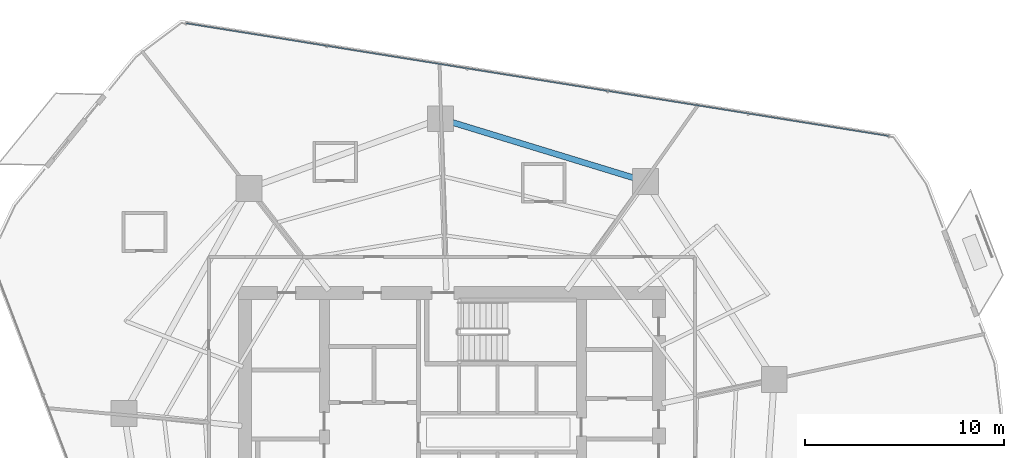
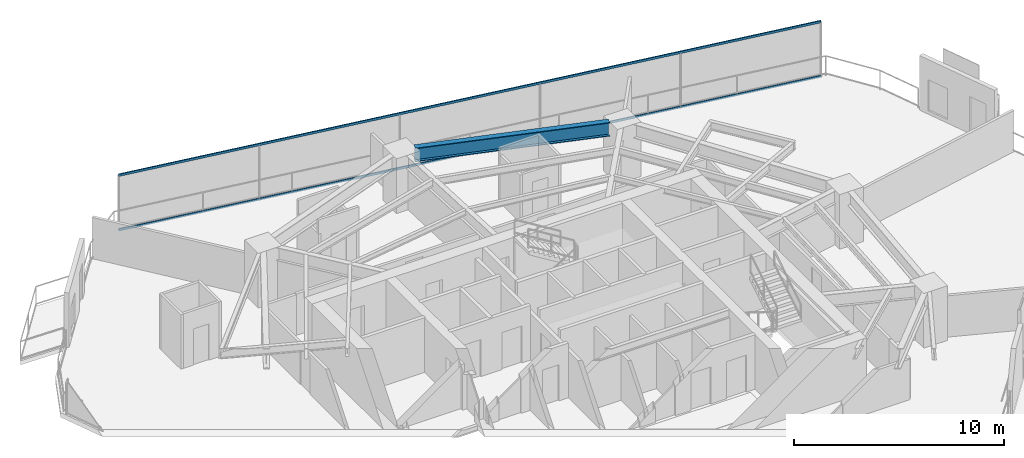
# One storey, part 20 of 31: 2 members, 1 beam, 1 element without a shape of its own.
"""IFC4 building model written with IfcOpenShell, lengths in metres."""

from ifc_helpers import new_model, si_unit, direction, frame, origin, origin_2d, place, context, subcontext, project, spatial, hollow_rectangle, i_section, extrude, material, layer, layer_set, material_profile, profile_set, type_object, element, aggregate, save


model = new_model("IFC4")

# Units and contexts
model_context = context("Model", 3, precision=1e-05, world=origin(), true_north=direction((0.0, 1.0)))
body_context = subcontext(model_context, "Body", "Model", "MODEL_VIEW")
ifc_project = project(units=[si_unit("LENGTHUNIT", "METRE"), si_unit("AREAUNIT", "SQUARE_METRE"), si_unit("VOLUMEUNIT", "CUBIC_METRE"), si_unit("PLANEANGLEUNIT", "RADIAN"), si_unit("MASSUNIT", "GRAM", prefix="KILO")], contexts=[model_context])

# Site, building, storey
site_placement = place(None, origin())
site = spatial("IfcSite", under=ifc_project, at=site_placement, CompositionType="ELEMENT")
building_placement = place(site_placement, origin())
building = spatial("IfcBuilding", under=site, at=building_placement, Name="Qarnah Convention Tower", CompositionType="ELEMENT")
storey_placement = place(building_placement, frame((0.0, 0.0, 33.89990234375)))
storey = spatial("IfcBuildingStorey", under=building, at=storey_placement, Name="L07", CompositionType="ELEMENT", Elevation=33.89990234375)

# Beam
ifc_material_1 = material(Name="Structural steel S355JR", Category="steel")
ifc_material_profile_1 = material_profile(ifc_material_1, i_section(OverallWidth=0.300048828125, OverallDepth=0.800048828125, WebThickness=0.01806640625, FlangeThickness=0.032958984375, at=origin_2d()), Name="HEB800")
ifc_profile_set_1 = profile_set([ifc_material_profile_1], Name="Structural steel S355JR")
beam_type = type_object("IfcBeamType", Name="BM-RING-HEB800", PredefinedType="BEAM", material=ifc_profile_set_1)
beam_placement = place(storey_placement, frame((46.31591796875, 39.97607421875, 2.77001953125), z_axis=(-0.956298871663, 0.292390950707, 0.0), x_axis=(-0.292390950707, -0.956298871663, 0.0)))
element("IfcBeam", 1, at=beam_placement, inside=storey, type_object=beam_type, Name="L07 beam BM-L07-SPN-02", PredefinedType="BEAM", context=body_context, shape_type="SweptSolid", body=[
    extrude(i_section(OverallWidth=0.300048828125, OverallDepth=0.800048828125, WebThickness=0.01806640625, FlangeThickness=0.032958984375, at=origin_2d()), origin(), (0.0, 0.0, 1.0), 9.4970703125),
])

# Curtain wall, members
ifc_material_2 = material(Name="Tempered Low-E dark glass", Category="glass")
ifc_layer = layer(ifc_material_2, 0.16796875)
ifc_layer_set = layer_set([ifc_layer], Name="Tempered Low-E dark glass")
curtain_wall_type = type_object("IfcCurtainWallType", Name="CWS-01", PredefinedType="NOTDEFINED", material=ifc_layer_set)
curtain_wall_placement = place(storey_placement, origin())
curtain_wall = element("IfcCurtainWall", 2, at=curtain_wall_placement, inside=storey, type_object=curtain_wall_type, Name="L07 unitised curtain wall CW-L07-F1", PredefinedType="NOTDEFINED")
ifc_material_3 = material(Name="Black anodised aluminium", Category="aluminium")
ifc_material_profile_2 = material_profile(ifc_material_3, hollow_rectangle(XDim=0.06005859375, YDim=0.1298828125, WallThickness=0.00390625, at=origin_2d()), Name="TRN-60X130")
ifc_profile_set_2 = profile_set([ifc_material_profile_2], Name="Black anodised aluminium")
member_type = type_object("IfcMemberType", Name="TRN-T1", PredefinedType="USERDEFINED", material=ifc_profile_set_2)
member_1_placement = place(storey_placement, frame((23.85595703125, 47.73388671875, 0.0), z_axis=(0.987359555044, -0.158496400789, 0.0), x_axis=(0.158496400789, 0.987359555044, 0.0)))
member_1 = element("IfcMember", 3, at=member_1_placement, type_object=member_type, Name="CW-L07-F1 transom 1", ObjectType="TRANSOM", PredefinedType="USERDEFINED", context=body_context, shape_type="SweptSolid", body=[
    extrude(hollow_rectangle(XDim=0.06005859375, YDim=0.1298828125, WallThickness=0.00390625, at=origin_2d()), origin(), (0.0, 0.0, 1.0), 35.74072265625),
])
member_2_placement = place(storey_placement, frame((23.85595703125, 47.73388671875, 3.170166015625), z_axis=(0.987359555044, -0.158496400789, 0.0), x_axis=(0.158496400789, 0.987359555044, 0.0)))
member_2 = element("IfcMember", 4, at=member_2_placement, type_object=member_type, Name="CW-L07-F1 transom 2", ObjectType="TRANSOM", PredefinedType="USERDEFINED", context=body_context, shape_type="SweptSolid", body=[
    extrude(hollow_rectangle(XDim=0.06005859375, YDim=0.1298828125, WallThickness=0.00390625, at=origin_2d()), origin(), (0.0, 0.0, 1.0), 35.74072265625),
])
aggregate(curtain_wall, [member_1, member_2])

save(model, "model.ifc")
